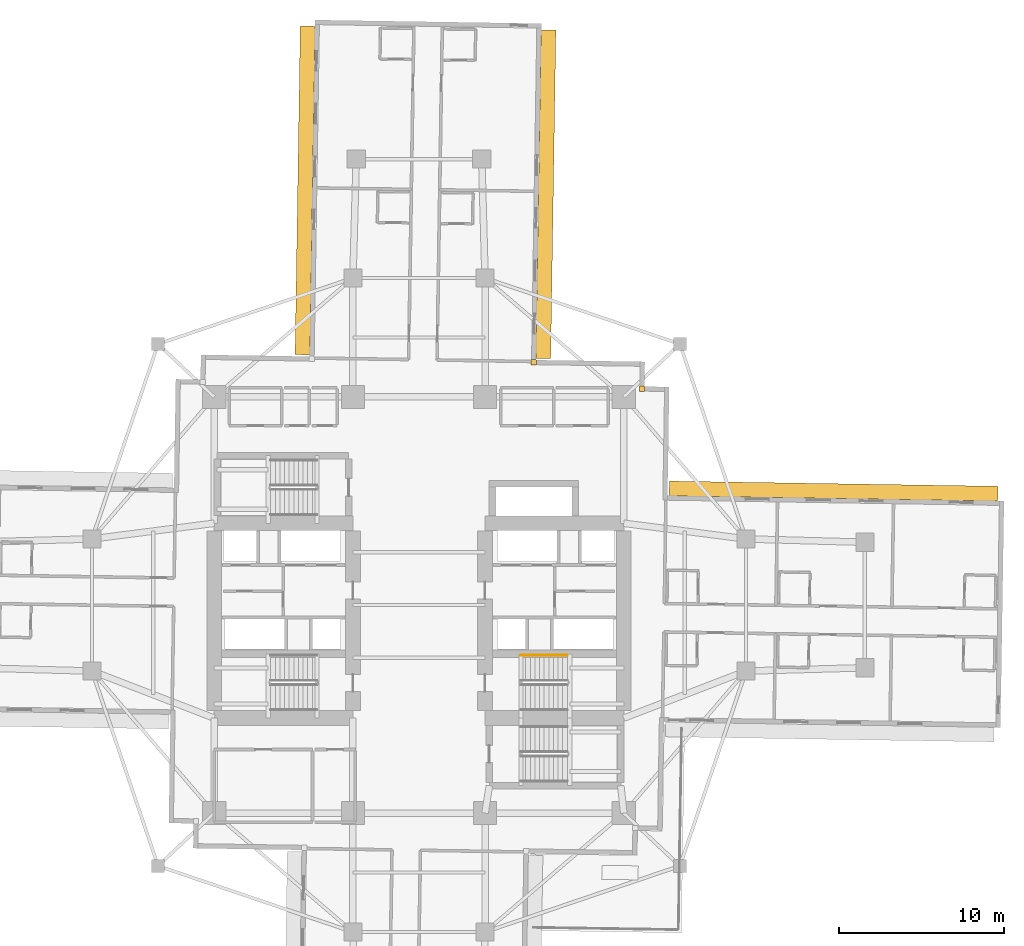
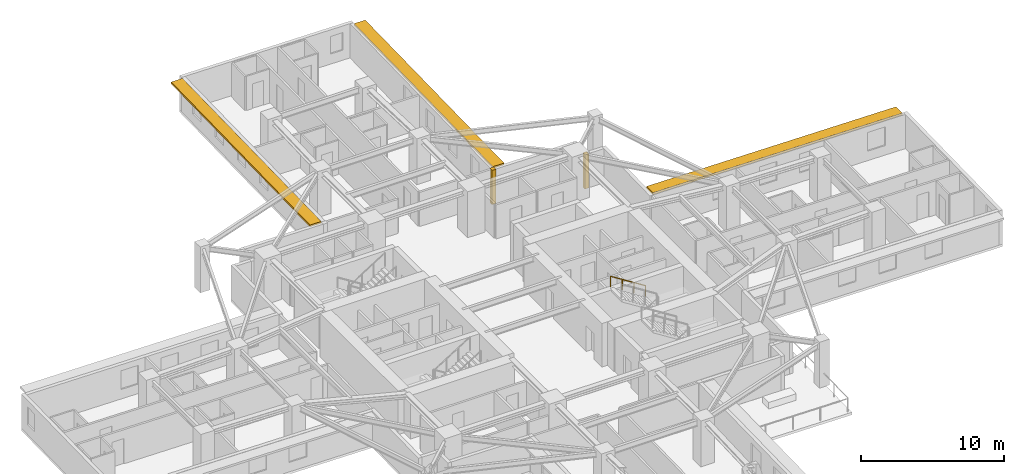
# One storey, part 13 of 13: 3 shading devices, 2 coverings, 1 railing.
"""IFC4 building model written with IfcOpenShell, lengths in metres."""

from ifc_helpers import new_model, si_unit, direction, frame, origin, origin_2d, place, context, subcontext, project, spatial, rectangle, circle, extrude, material, layer, layer_set, type_object, element, save


model = new_model("IFC4")

# Units and contexts
model_context = context("Model", 3, precision=1e-05, world=origin(), true_north=direction((0.0, 1.0)))
body_context = subcontext(model_context, "Body", "Model", "MODEL_VIEW")
ifc_project = project(units=[si_unit("LENGTHUNIT", "METRE"), si_unit("AREAUNIT", "SQUARE_METRE"), si_unit("VOLUMEUNIT", "CUBIC_METRE"), si_unit("PLANEANGLEUNIT", "RADIAN"), si_unit("MASSUNIT", "GRAM", prefix="KILO")], contexts=[model_context])

# Site, building, storey
site_placement = place(None, origin())
site = spatial("IfcSite", under=ifc_project, at=site_placement, CompositionType="ELEMENT")
building_placement = place(site_placement, origin())
building = spatial("IfcBuilding", under=site, at=building_placement, Name="Qingluan Cross Belvedere", CompositionType="ELEMENT")
storey_placement = place(building_placement, frame((0.0, 0.0, 67.800048828125)))
storey = spatial("IfcBuildingStorey", under=building, at=storey_placement, Name="L17", CompositionType="ELEMENT", Elevation=67.800048828125)

# Coverings
ifc_material_1 = material(Name="Precast concrete C45", Category="concrete")
ifc_layer_1 = layer(ifc_material_1, 0.1201171875, Name="ConcreteSpandrelCladding_120")
ifc_layer_set_1 = layer_set([ifc_layer_1], Name="Precast concrete C45")
covering_type = type_object("IfcCoveringType", Name="ConcreteSpandrelCladding_120", PredefinedType="CLADDING", material=ifc_layer_set_1)
for number, where, z_axis, x_axis, name in (
    (1, (13.50732421875, 13.089599609375, 0.0), (0.0, 0.0, 1.0), (0.999876632482, -0.015707317312, 0.0), "Corner closure L17-NE1"),
    (2, (6.95166015625, 14.692626953125, 0.0), (0.0, 0.0, 1.0), (0.999876632482, -0.015707317312, 0.0), "Corner closure L17-NE2"),
):
    element("IfcCovering", number, at=place(storey_placement, frame(where, z_axis=z_axis, x_axis=x_axis)), inside=storey, type_object=covering_type, Name=name, PredefinedType="CLADDING", context=body_context, shape_type="SweptSolid", body=[
        extrude(rectangle(XDim=0.320068359375, YDim=0.320068359375, at=origin_2d()), origin(), (0.0, 0.0, 1.0), 2.909912109375),
    ])

# Shading devices
ifc_material_2 = material(Name="Precast concrete C45", Category="concrete")
ifc_layer_2 = layer(ifc_material_2, 0.159912109375, Name="ConcreteSunshadeBand_900")
ifc_layer_set_2 = layer_set([ifc_layer_2], Name="Precast concrete C45")
shading_device_type = type_object("IfcShadingDeviceType", Name="ConcreteSunshadeBand_900", PredefinedType="USERDEFINED", material=ifc_layer_set_2)
for number, where, z_axis, x_axis, name in (
    (3, (25.101318359375, 6.896484375, 2.72998046875), (0.0, 0.0, 1.0), (-0.999876645576, 0.015706483741, 0.0), "Concrete SUNSHADE L17-EB"),
    (4, (7.681640625, 24.872314453125, 2.72998046875), (0.0, 0.0, 1.0), (0.015711457647, 0.999876567432, 0.0), "Concrete SUNSHADE L17-NA"),
    (5, (-6.896484375, 25.101318359375, 2.72998046875), (0.0, 0.0, 1.0), (-0.015706483741, -0.999876645576, 0.0), "Concrete SUNSHADE L17-NB"),
):
    element("IfcShadingDevice", number, at=place(storey_placement, frame(where, z_axis=z_axis, x_axis=x_axis)), inside=storey, type_object=shading_device_type, Name=name, ObjectType="SUNSHADE", PredefinedType="USERDEFINED", context=body_context, shape_type="SweptSolid", body=[
        extrude(rectangle(XDim=19.89990234375, YDim=0.89990234375, at=origin_2d()), origin(), (0.0, 0.0, 1.0), 0.159912109375),
    ])

# Railing
ifc_material_3 = material(Name="Brushed stainless steel tubular handrail", Category="steel")
railing_type = type_object("IfcRailingType", Name="StairPitchHandrail_900", PredefinedType="HANDRAIL", material=ifc_material_3)
railing_placement = place(storey_placement, frame((8.97998046875, -3.050048828125, 2.127197265625)))
element("IfcRailing", 6, at=railing_placement, inside=storey, type_object=railing_type, Name="L17 ST2 stair handrail 2", PredefinedType="HANDRAIL", context=body_context, shape_type="SweptSolid", body=[
    extrude(circle(Radius=0.02392578125, at=origin_2d()), frame((0.0, 0.0, 0.8759765625), z_axis=(-0.844908973607, 0.0, 0.534910110503), x_axis=(0.0, -1.0, 0.0)), (0.0, 0.0, 1.0), 3.31396484375),
    extrude(circle(Radius=0.02099609375, at=origin_2d()), origin(), (0.0, 0.0, 1.0), 0.851806640625),
    extrude(circle(Radius=0.02099609375, at=origin_2d()), frame((-0.933349609375, 0.0, 0.5908203125)), (0.0, 0.0, 1.0), 0.851806640625),
    extrude(circle(Radius=0.02099609375, at=origin_2d()), frame((-1.86669921875, 0.0, 1.181884765625)), (0.0, 0.0, 1.0), 0.851806640625),
    extrude(circle(Radius=0.02099609375, at=origin_2d()), frame((-2.800048828125, 0.0, 1.772705078125)), (0.0, 0.0, 1.0), 0.851806640625),
])

save(model, "model.ifc")
